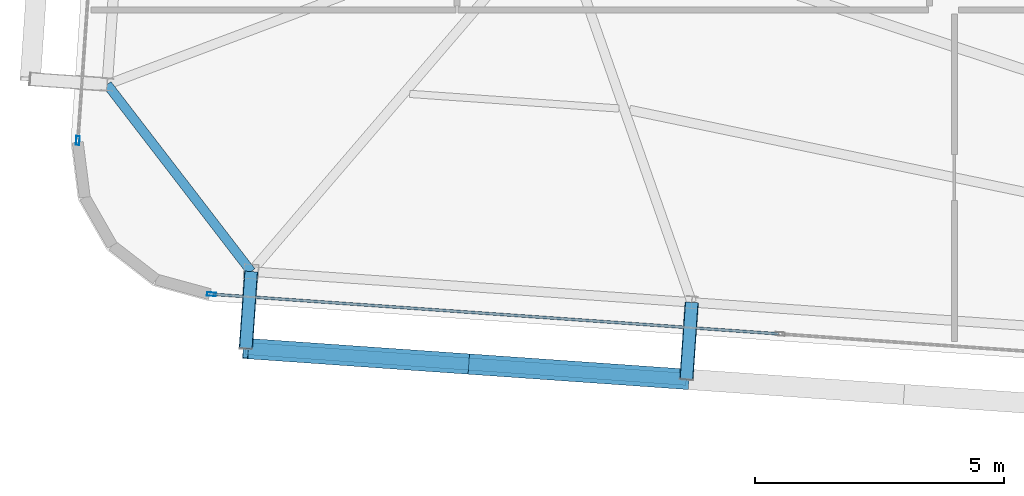
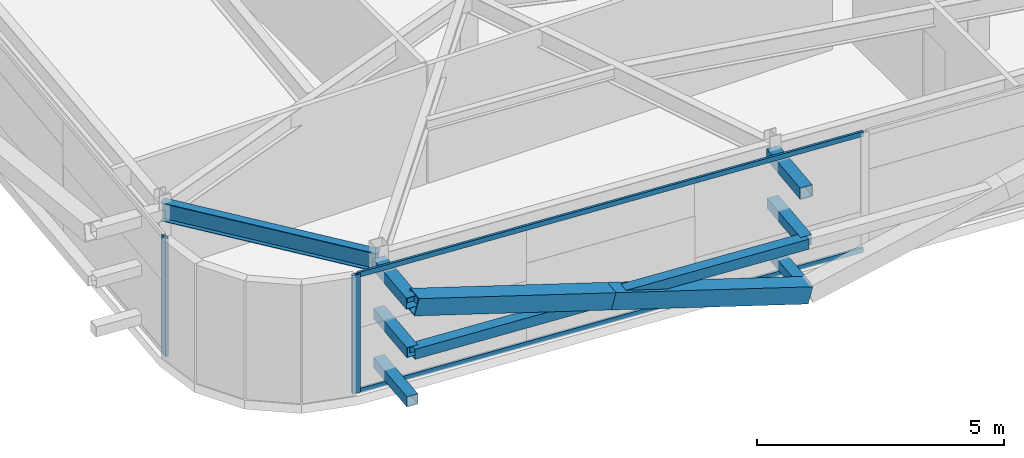
# One storey, part 6 of 39: 13 members, 1 beam, 2 elements without a shape of their own.
"""IFC4 building model written with IfcOpenShell, lengths in metres."""

from ifc_helpers import new_model, si_unit, direction, frame, origin, origin_2d, place, context, subcontext, project, spatial, hollow_rectangle, i_section, extrude, source, transform, mapped, material, layer, layer_set, material_profile, profile_set, type_object, element, aggregate, save


model = new_model("IFC4")

# Units and contexts
model_context = context("Model", 3, precision=1e-05, world=origin(), true_north=direction((0.0, 1.0)))
body_context = subcontext(model_context, "Body", "Model", "MODEL_VIEW")
ifc_project = project(units=[si_unit("LENGTHUNIT", "METRE"), si_unit("AREAUNIT", "SQUARE_METRE"), si_unit("VOLUMEUNIT", "CUBIC_METRE"), si_unit("PLANEANGLEUNIT", "RADIAN"), si_unit("MASSUNIT", "GRAM", prefix="KILO")], contexts=[model_context])

# Site, building, storey
site_placement = place(None, origin())
site = spatial("IfcSite", under=ifc_project, at=site_placement, CompositionType="ELEMENT")
building_placement = place(site_placement, origin())
building = spatial("IfcBuilding", under=site, at=building_placement, Name="Taldren Reach Tower", CompositionType="ELEMENT")
storey_placement = place(building_placement, frame((0.0, 0.0, 129.85009765625)))
storey = spatial("IfcBuildingStorey", under=building, at=storey_placement, Name="L39", CompositionType="ELEMENT", Elevation=129.85009765625)

# Members
ifc_material_1 = material(Name="Steel Gr 450 (C450L0)", Category="steel")
ifc_material_profile_1 = material_profile(ifc_material_1, hollow_rectangle(XDim=0.27490234375, YDim=0.27490234375, WallThickness=0.00927734375, at=origin_2d()), Name="275x275x9.3SHS")
ifc_profile_set_1 = profile_set([ifc_material_profile_1], Name="Steel Gr 450 (C450L0)")
member_type_1 = type_object("IfcMemberType", Name="MB-TIE273", PredefinedType="STRUT", material=ifc_profile_set_1)
shared_shape_1 = source(origin(), body_context, "Body", "SweptSolid", [
    extrude(hollow_rectangle(XDim=0.27490234375, YDim=0.27490234375, WallThickness=0.00927734375, at=origin_2d()), origin(), (0.0, 0.0, 1.0), 1.5498046875),
])
for number, where, z_axis, x_axis, name in (
    (1, (11.863525390625, 5.33837890625, 2.64990234375), (-0.069780535098, -0.997562367434, 0.0), (0.997562367434, -0.069780535098, 0.0), "Exoskeleton diaphragm tie strut B3-S1 L39"),
    (2, (20.721923828125, 4.718994140625, 2.64990234375), (-0.069780535098, -0.997562367434, 0.0), (0.997562367434, -0.069780535098, 0.0), "Exoskeleton diaphragm tie strut B3-S2 L39"),
):
    element("IfcMember", number, at=place(storey_placement, frame(where, z_axis=z_axis, x_axis=x_axis)), inside=storey, type_object=member_type_1, Name=name, PredefinedType="STRUT", context=body_context, shape_type="MappedRepresentation", body=[
        mapped(shared_shape_1, transform((0.0, 0.0, 0.0), scale=1.0)),
    ])
ifc_material_2 = material(Name="Steel Gr 350 (C350L0)", Category="steel")
ifc_material_profile_2 = material_profile(ifc_material_2, hollow_rectangle(XDim=0.25, YDim=0.25, WallThickness=0.010009765625, at=origin_2d()), Name="250x250x10.0SHS")
ifc_profile_set_2 = profile_set([ifc_material_profile_2], Name="Steel Gr 350 (C350L0)")
member_type_2 = type_object("IfcMemberType", Name="MB-POST250", PredefinedType="POST", material=ifc_profile_set_2)
shared_shape_2 = source(origin(), body_context, "Body", "SweptSolid", [
    extrude(hollow_rectangle(XDim=0.25, YDim=0.25, WallThickness=0.010009765625, at=origin_2d()), origin(), (0.0, 0.0, 1.0), 1.5498046875),
])
for number, where, z_axis, x_axis, name in (
    (3, (11.863525390625, 5.33837890625, 0.219970703125), (-0.069780535098, -0.997562367434, 0.0), (0.997562367434, -0.069780535098, 0.0), "Exoskeleton base diaphragm tie strut B3-S1 L39"),
    (4, (20.721923828125, 4.718994140625, 0.219970703125), (-0.069780535098, -0.997562367434, 0.0), (0.997562367434, -0.069780535098, 0.0), "Exoskeleton base diaphragm tie strut B3-S2 L39"),
    (5, (11.863525390625, 5.33837890625, 1.434814453125), (-0.069780535098, -0.997562367434, 0.0), (0.997562367434, -0.069780535098, 0.0), "Exoskeleton mid-tier diaphragm tie B3-S1 L39"),
    (6, (20.721923828125, 4.718994140625, 1.434814453125), (-0.069780535098, -0.997562367434, 0.0), (0.997562367434, -0.069780535098, 0.0), "Exoskeleton mid-tier diaphragm tie B3-S2 L39"),
):
    element("IfcMember", number, at=place(storey_placement, frame(where, z_axis=z_axis, x_axis=x_axis)), inside=storey, type_object=member_type_2, Name=name, PredefinedType="POST", context=body_context, shape_type="MappedRepresentation", body=[
        mapped(shared_shape_2, transform((0.0, 0.0, 0.0), scale=1.0)),
    ])

# Beam
ifc_material_3 = material(Name="Steel Gr 350 (350PLUS)", Category="steel")
ifc_material_profile_3 = material_profile(ifc_material_3, i_section(OverallWidth=0.18994140625, OverallDepth=0.4541015625, WebThickness=0.008544921875, FlangeThickness=0.0126953125, at=origin_2d()), Name="460UB67.1")
ifc_profile_set_3 = profile_set([ifc_material_profile_3], Name="Steel Gr 350 (350PLUS)")
beam_type = type_object("IfcBeamType", Name="SP-UB460B", PredefinedType="SPANDREL", material=ifc_profile_set_3)
shared_shape_3 = source(origin(), body_context, "Body", "SweptSolid", [
    extrude(i_section(OverallWidth=0.18994140625, OverallDepth=0.4541015625, WebThickness=0.008544921875, FlangeThickness=0.0126953125, at=origin_2d()), origin(), (0.0, 0.0, 1.0), 4.746337890625),
])
beam_placement = place(storey_placement, frame((8.96875, 9.099609375, 2.702880859375), z_axis=(0.609912099004, -0.792469072891, 0.0), x_axis=(0.792469072891, 0.609912099004, 0.0)))
element("IfcBeam", 7, at=beam_placement, inside=storey, type_object=beam_type, Name="Perimeter spandrel B3 W1-S1 L39", PredefinedType="SPANDREL", context=body_context, shape_type="MappedRepresentation", body=[
    mapped(shared_shape_3, transform((0.0, 0.0, 0.0), scale=1.0)),
])

# Members
shared_shape_4 = source(origin(), body_context, "Body", "SweptSolid", [
    extrude(hollow_rectangle(XDim=0.25, YDim=0.25, WallThickness=0.010009765625, at=origin_2d()), origin(), (0.0, 0.0, 1.0), 8.880126953125),
])
member_1_placement = place(storey_placement, frame((11.75537109375, 3.792236328125, 1.434814453125), z_axis=(0.997564479639, -0.069750333063, 0.0), x_axis=(0.069750333063, 0.997564479639, 0.0)))
element("IfcMember", 8, at=member_1_placement, inside=storey, type_object=member_type_2, Name="Exoskeleton mid-height ring chord B3-S1 L39", PredefinedType="POST", context=body_context, shape_type="MappedRepresentation", body=[
    mapped(shared_shape_4, transform((0.0, 0.0, 0.0), scale=1.0)),
])
ifc_material_profile_4 = material_profile(ifc_material_1, hollow_rectangle(XDim=0.409912109375, YDim=0.409912109375, WallThickness=0.01611328125, at=origin_2d()), Name="410x410x16.0SHS")
ifc_profile_set_4 = profile_set([ifc_material_profile_4], Name="Steel Gr 450 (C450L0)")
member_type_3 = type_object("IfcMemberType", Name="MB-EXO406", PredefinedType="BRACE", material=ifc_profile_set_4)
shared_shape_5 = source(origin(), body_context, "Body", "SweptSolid", [
    extrude(hollow_rectangle(XDim=0.409912109375, YDim=0.409912109375, WallThickness=0.01611328125, at=origin_2d()), origin(), (0.0, 0.0, 1.0), 4.603271484375),
])
for number, where, z_axis, x_axis, name in (
    (9, (20.61376953125, 3.1728515625, 0.219970703125), (-0.962199253371, 0.067251055742, 0.263912660389), (-0.069722973508, -0.997566392259, 0.0), "Exoskeleton Diagrid Brace B3-S1 L39"),
    (10, (16.1845703125, 3.482421875, 1.434814453125), (-0.962182351074, 0.067302910567, 0.263961060594), (-0.06977769246, -0.997562566276, 0.0), "Exoskeleton Diagrid Brace B3-S1 L39"),
):
    element("IfcMember", number, at=place(storey_placement, frame(where, z_axis=z_axis, x_axis=x_axis)), inside=storey, type_object=member_type_3, Name=name, PredefinedType="BRACE", context=body_context, shape_type="MappedRepresentation", body=[
        mapped(shared_shape_5, transform((0.0, 0.0, 0.0), scale=1.0)),
    ])

# Curtain wall, members
ifc_material_4 = material(Name="Aluminium and Low-E Glass Unitised System", Category="aluminium")
ifc_layer = layer(ifc_material_4, 0.159912109375)
ifc_layer_set = layer_set([ifc_layer], Name="Aluminium and Low-E Glass Unitised System")
curtain_wall_type = type_object("IfcCurtainWallType", Name="CW-SYS-4", PredefinedType="NOTDEFINED", material=ifc_layer_set)
curtain_wall_1_placement = place(storey_placement, origin())
curtain_wall_1 = element("IfcCurtainWall", 11, at=curtain_wall_1_placement, inside=storey, type_object=curtain_wall_type, Name="Unitised curtain wall CW-L39-S", PredefinedType="NOTDEFINED")
ifc_material_5 = material(Name="Anodised Aluminium 6063-T6", Category="aluminium")
ifc_material_profile_5 = material_profile(ifc_material_5, hollow_rectangle(XDim=0.054931640625, YDim=0.1201171875, WallThickness=0.0029296875, at=origin_2d()), Name="ALU-120x55x3RHS")
ifc_profile_set_5 = profile_set([ifc_material_profile_5], Name="Anodised Aluminium 6063-T6")
member_type_4 = type_object("IfcMemberType", Name="CW-TRN-135", PredefinedType="USERDEFINED", material=ifc_profile_set_5)
shared_shape_6 = source(origin(), body_context, "Body", "SweptSolid", [
    extrude(hollow_rectangle(XDim=0.054931640625, YDim=0.1201171875, WallThickness=0.0029296875, at=origin_2d()), origin(), (0.0, 0.0, 1.0), 11.39501953125),
])
member_2_placement = place(storey_placement, frame((11.099853515625, 4.880615234375, 0.02734375), z_axis=(0.997563740682, -0.069760900766, 0.0), x_axis=(0.069760900766, 0.997563740682, 0.0)))
member_2 = element("IfcMember", 12, at=member_2_placement, type_object=member_type_4, Name="CW-4 transom 1.1", ObjectType="TRANSOM", PredefinedType="USERDEFINED", context=body_context, shape_type="MappedRepresentation", body=[
    mapped(shared_shape_6, transform((0.0, 0.0, 0.0), scale=1.0)),
])
member_3_placement = place(storey_placement, frame((11.099853515625, 4.880615234375, 2.90234375), z_axis=(0.997563740682, -0.069760900766, 0.0), x_axis=(0.069760900766, 0.997563740682, 0.0)))
member_3 = element("IfcMember", 13, at=member_3_placement, type_object=member_type_4, Name="CW-4 transom 1.2", ObjectType="TRANSOM", PredefinedType="USERDEFINED", context=body_context, shape_type="MappedRepresentation", body=[
    mapped(shared_shape_6, transform((0.0, 0.0, 0.0), scale=1.0)),
])
ifc_material_profile_6 = material_profile(ifc_material_5, hollow_rectangle(XDim=0.070068359375, YDim=0.179931640625, WallThickness=0.00390625, at=origin_2d()), Name="ALU-180x70x4RHS")
ifc_profile_set_6 = profile_set([ifc_material_profile_6], Name="Anodised Aluminium 6063-T6")
member_type_5 = type_object("IfcMemberType", Name="CW-MUL-180", PredefinedType="MULLION", material=ifc_profile_set_6)
shared_shape_7 = source(origin(), body_context, "Body", "SweptSolid", [
    extrude(hollow_rectangle(XDim=0.070068359375, YDim=0.179931640625, WallThickness=0.00390625, at=origin_2d()), origin(), (0.0, 0.0, 1.0), 2.929931640625),
])
member_4_placement = place(storey_placement, frame((11.06494140625, 4.883056640625, 0.0), z_axis=(0.0, 0.0, 1.0), x_axis=(0.06975651593, 0.99756404731, 0.0)))
member_4 = element("IfcMember", 14, at=member_4_placement, type_object=member_type_5, Name="CW-4 mullion 1", PredefinedType="MULLION", context=body_context, shape_type="MappedRepresentation", body=[
    mapped(shared_shape_7, transform((0.0, 0.0, 0.0), scale=1.0)),
])
aggregate(curtain_wall_1, [member_4, member_2, member_3])

# Curtain wall, member
curtain_wall_2_placement = place(storey_placement, origin())
curtain_wall_2 = element("IfcCurtainWall", 15, at=curtain_wall_2_placement, inside=storey, type_object=curtain_wall_type, Name="Unitised curtain wall CW-L39-W", PredefinedType="NOTDEFINED")
member_5_placement = place(storey_placement, frame((8.37890625, 7.972900390625, 0.0), z_axis=(0.0, 0.0, 1.0), x_axis=(0.997564052812, -0.069756437251, 0.0)))
member_5 = element("IfcMember", 16, at=member_5_placement, type_object=member_type_5, Name="CW-4 mullion 3", PredefinedType="MULLION", context=body_context, shape_type="MappedRepresentation", body=[
    mapped(shared_shape_7, transform((0.0, 0.0, 0.0), scale=1.0)),
])
aggregate(curtain_wall_2, [member_5])

save(model, "model.ifc")
